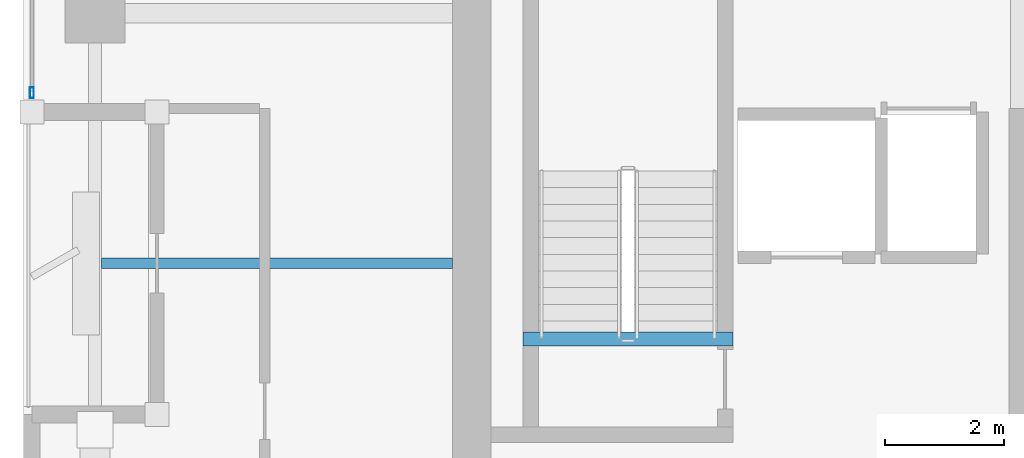
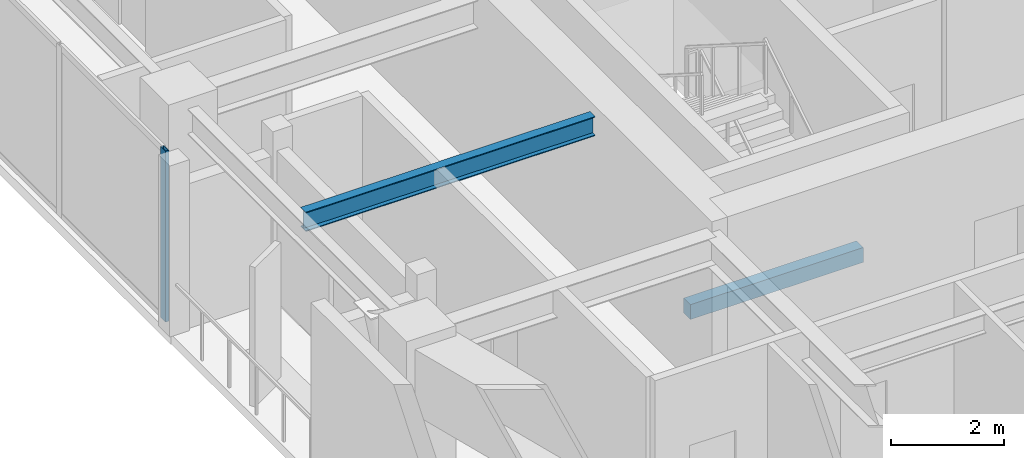
# One storey, part 2 of 22: 2 beams, 1 member, 1 element without a shape of its own.
"""IFC4 building model written with IfcOpenShell, lengths in metres."""

from ifc_helpers import new_model, si_unit, direction, frame, origin, origin_2d, place, context, subcontext, project, spatial, rectangle, hollow_rectangle, i_section, extrude, material, layer, layer_set, material_profile, profile_set, type_object, element, aggregate, save


model = new_model("IFC4")

# Units and contexts
model_context = context("Model", 3, precision=1e-05, world=origin(), true_north=direction((0.0, 1.0)))
body_context = subcontext(model_context, "Body", "Model", "MODEL_VIEW")
ifc_project = project(units=[si_unit("LENGTHUNIT", "METRE"), si_unit("AREAUNIT", "SQUARE_METRE"), si_unit("VOLUMEUNIT", "CUBIC_METRE"), si_unit("PLANEANGLEUNIT", "RADIAN"), si_unit("MASSUNIT", "GRAM", prefix="KILO")], contexts=[model_context])

# Site, building, storey
site_placement = place(None, origin())
site = spatial("IfcSite", under=ifc_project, at=site_placement, CompositionType="ELEMENT")
building_placement = place(site_placement, origin())
building = spatial("IfcBuilding", under=site, at=building_placement, Name="Kiyonajd Concourse Tower", CompositionType="ELEMENT")
storey_placement = place(building_placement, frame((0.0, 0.0, 243.300048828125)))
storey = spatial("IfcBuildingStorey", under=building, at=storey_placement, Name="L61", CompositionType="ELEMENT", Elevation=243.300048828125)

# Beams
ifc_material_1 = material(Name="Steel ASTM A992 Grade 50", Category="steel")
ifc_material_profile_1 = material_profile(ifc_material_1, i_section(OverallWidth=0.180908203125, OverallDepth=0.4169921875, WebThickness=0.010986328125, FlangeThickness=0.018310546875, at=origin_2d()), Name="W410X85")
ifc_profile_set_1 = profile_set([ifc_material_profile_1], Name="Steel ASTM A992 Grade 50")
beam_type_1 = type_object("IfcBeamType", Name="BM-JST-410", PredefinedType="JOIST", material=ifc_profile_set_1)
beam_1_placement = place(storey_placement, frame((26.507080078125, 31.800048828125, 3.471435546875), z_axis=(1.0, 0.0, 0.0), x_axis=(0.0, 1.0, 0.0)))
element("IfcBeam", 1, at=beam_1_placement, inside=storey, type_object=beam_type_1, Name="L61 West Secondary Floor Joist", PredefinedType="JOIST", context=body_context, shape_type="SweptSolid", body=[
    extrude(i_section(OverallWidth=0.180908203125, OverallDepth=0.4169921875, WebThickness=0.010986328125, FlangeThickness=0.018310546875, at=origin_2d()), origin(), (0.0, 0.0, 1.0), 5.892822265625),
])
ifc_material_2 = material(Name="Concrete C50/60", Category="concrete")
ifc_material_profile_2 = material_profile(ifc_material_2, rectangle(XDim=0.239990234375, YDim=0.320068359375, at=origin_2d()), Name="RCBM-240x320")
ifc_profile_set_2 = profile_set([ifc_material_profile_2], Name="Concrete C50/60")
beam_type_2 = type_object("IfcBeamType", Name="BM-LNT-250", PredefinedType="LINTEL", material=ifc_profile_set_2)
beam_2_placement = place(storey_placement, frame((33.590087890625, 30.530029296875, -0.16015625), z_axis=(1.0, 0.0, 0.0), x_axis=(0.0, 1.0, 0.0)))
element("IfcBeam", 2, at=beam_2_placement, inside=storey, type_object=beam_type_2, Name="L61 Stair ST1 Threshold Support Beam", PredefinedType="LINTEL", context=body_context, shape_type="SweptSolid", body=[
    extrude(rectangle(XDim=0.239990234375, YDim=0.320068359375, at=origin_2d()), origin(), (0.0, 0.0, 1.0), 3.52001953125),
])

# Curtain wall, member
ifc_material_3 = material(Name="Thermally Broken Anodised Aluminium", Category="aluminium")
ifc_layer = layer(ifc_material_3, 0.179931640625)
ifc_layer_set = layer_set([ifc_layer], Name="Thermally Broken Anodised Aluminium")
curtain_wall_type = type_object("IfcCurtainWallType", Name="CW-SYS-04", PredefinedType="NOTDEFINED", material=ifc_layer_set)
curtain_wall_placement = place(storey_placement, origin())
curtain_wall = element("IfcCurtainWall", 3, at=curtain_wall_placement, inside=storey, type_object=curtain_wall_type, Name="L61 Unitised Curtain Wall CW4", PredefinedType="NOTDEFINED")
ifc_material_profile_3 = material_profile(ifc_material_3, hollow_rectangle(XDim=0.06494140625, YDim=0.179931640625, WallThickness=0.00390625, at=origin_2d()), Name="MULL-65x180")
ifc_profile_set_3 = profile_set([ifc_material_profile_3], Name="Thermally Broken Anodised Aluminium")
member_type = type_object("IfcMemberType", Name="MB-CW-MULL1", PredefinedType="MULLION", material=ifc_profile_set_3)
member_placement = place(storey_placement, frame((25.340087890625, 34.66259765625, 0.0), z_axis=(0.0, 0.0, 1.0), x_axis=(-1.0, 0.0, 0.0)))
member = element("IfcMember", 4, at=member_placement, type_object=member_type, Name="CW4 mullion 1", PredefinedType="MULLION", context=body_context, shape_type="SweptSolid", body=[
    extrude(hollow_rectangle(XDim=0.06494140625, YDim=0.179931640625, WallThickness=0.00390625, at=origin_2d()), origin(), (0.0, 0.0, 1.0), 3.679931640625),
])
aggregate(curtain_wall, [member])

save(model, "model.ifc")
